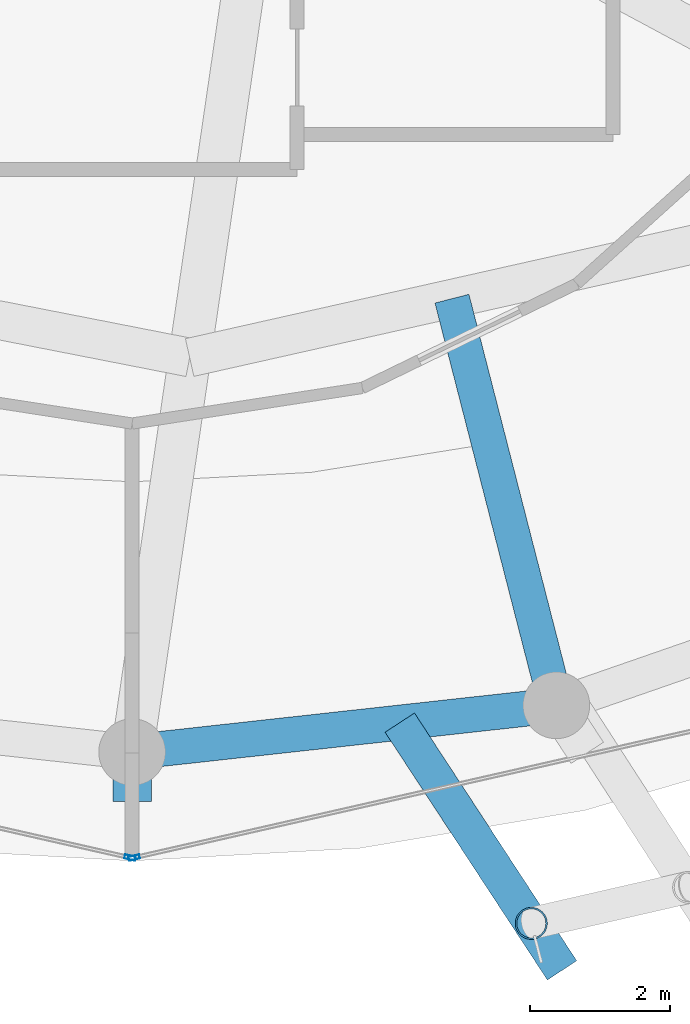
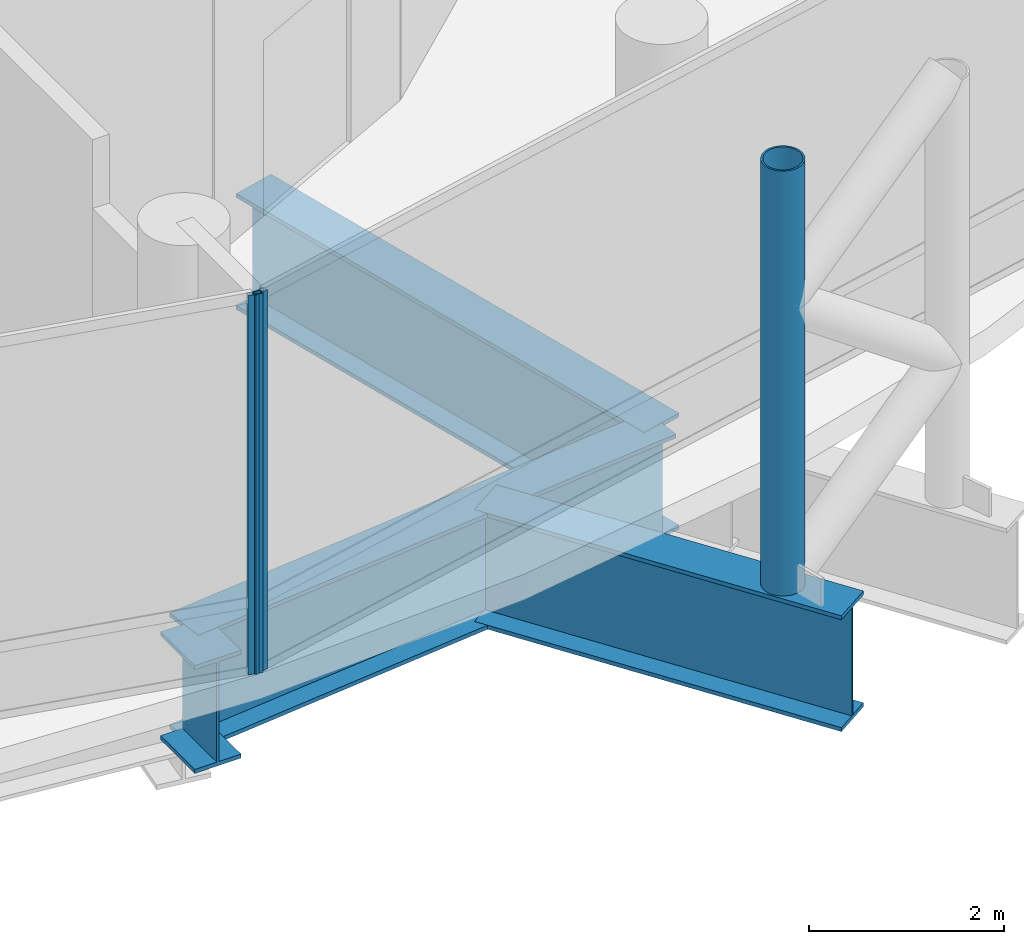
# One storey, part 4 of 29: 4 beams, 3 members, 2 elements without a shape of their own.
"""IFC4 building model written with IfcOpenShell, lengths in metres."""

import ifcopenshell
import ifcopenshell.guid

model = None  # the IFC model being written
_history = None  # IfcOwnerHistory: only IFC2X3 demands one
_inside = {}  # id of a spatial element -> (the spatial element, [elements in it])
_under = {}  # id of a project, library or spatial element -> (it, [spatial elements below it])
_declared = {}  # id of a project -> (the project, [libraries it declares])
_typed = {}  # id of a type object -> (the type object, [elements of that type])
_made_of = {}  # id of a material, layer set ... -> (it, [elements and type objects made of it])


def new_model(schema):
    """Start an empty IFC model of exactly this schema.

    Asked for "IFC4X3", IfcOpenShell would pick the latest addendum, in which some entities
    have other attributes; the version numbers below select the first issue.
    IFC2X3 requires an IfcOwnerHistory on every rooted entity: one is made here for all.
    """
    global model, _history
    if schema == "IFC4X3":
        model = ifcopenshell.file(schema_version=(4, 3, 0, 0))
    else:
        model = ifcopenshell.file(schema=schema)
    _inside.clear()
    _under.clear()
    _declared.clear()
    _typed.clear()
    _made_of.clear()
    _history = None
    if model.schema == "IFC2X3":
        org = make("IfcOrganization", Name="unknown")
        user = make(
            "IfcPersonAndOrganization",
            ThePerson=make("IfcPerson", FamilyName="unknown"),
            TheOrganization=org,
        )
        app = make(
            "IfcApplication",
            ApplicationDeveloper=org,
            Version="unknown",
            ApplicationFullName="unknown",
            ApplicationIdentifier="unknown",
        )
        _history = make(
            "IfcOwnerHistory",
            OwningUser=user,
            OwningApplication=app,
            ChangeAction="ADDED",
            CreationDate=0,
        )
    return model


def make(cls, **values):
    """One entity of the class cls with the attributes given. An attribute that is None is left unset."""
    return model.create_entity(
        cls, **{name: value for name, value in values.items() if value is not None}
    )


def rooted(cls, **values):
    """An entity with a GlobalId (a new one), such as an element, a storey or a relation."""
    return make(cls, GlobalId=ifcopenshell.guid.new(), OwnerHistory=_history, **values)


def si_unit(unit_type, name, prefix=None):
    """IfcSIUnit, for example si_unit("LENGTHUNIT", "METRE", prefix="MILLI")."""
    return make("IfcSIUnit", UnitType=unit_type, Prefix=prefix, Name=name)


def assignment(units):
    """IfcUnitAssignment: the units of a project."""
    return None if units is None else make("IfcUnitAssignment", Units=units)


def point(xyz):
    """IfcCartesianPoint."""
    return None if xyz is None else make("IfcCartesianPoint", Coordinates=xyz)


def direction(xyz):
    """IfcDirection."""
    return None if xyz is None else make("IfcDirection", DirectionRatios=xyz)


def frame(location, z_axis=None, x_axis=None):
    """IfcAxis2Placement3D, a coordinate frame: its origin and axes. An axis left out is left unset."""
    return make(
        "IfcAxis2Placement3D",
        Location=point(location),
        Axis=direction(z_axis),
        RefDirection=direction(x_axis),
    )


def frame_2d(location, x_axis=None):
    """IfcAxis2Placement2D, a coordinate frame in the plane: its origin and x axis."""
    return make(
        "IfcAxis2Placement2D", Location=point(location), RefDirection=direction(x_axis)
    )


def origin():
    """The frame at (0, 0, 0) with its axes left unset."""
    return frame((0.0, 0.0, 0.0))


def origin_2d():
    """The frame at (0, 0) in the plane with its x axis left unset."""
    return frame_2d((0.0, 0.0))


def place(relative_to, where):
    """IfcLocalPlacement: puts the frame where relative to a parent placement (None: the world)."""
    return make(
        "IfcLocalPlacement", PlacementRelTo=relative_to, RelativePlacement=where
    )


def context(
    kind, dimensions, precision=None, world=None, true_north=None, identifier=None
):
    """IfcGeometricRepresentationContext, for example the 3D "Model" context."""
    return make(
        "IfcGeometricRepresentationContext",
        ContextIdentifier=identifier,
        ContextType=kind,
        CoordinateSpaceDimension=dimensions,
        Precision=precision,
        WorldCoordinateSystem=world,
        TrueNorth=true_north,
    )


def subcontext(parent, identifier, kind, view, scale=None):
    """IfcGeometricRepresentationSubContext, for example "Body" below "Model"."""
    return make(
        "IfcGeometricRepresentationSubContext",
        ContextIdentifier=identifier,
        ContextType=kind,
        ParentContext=parent,
        TargetScale=scale,
        TargetView=view,
    )


def project(units=None, contexts=None):
    """IfcProject with its units and contexts."""
    return rooted(
        "IfcProject",
        Name="project",
        RepresentationContexts=contexts,
        UnitsInContext=assignment(units),
    )


def spatial(cls, under=None, at=None, **own):
    """A site, building, storey or space (cls), placed at a placement, below another one or the project."""
    s = rooted(cls, ObjectPlacement=at, **own)
    if under is not None:
        _under.setdefault(under.id(), (under, []))[1].append(s)
    return s


def profile(cls, at=None, kind="AREA", **sizes):
    """A parametric profile (cls). Its sizes go by their IFC names, for example OverallWidth=200.0."""
    return make(cls, ProfileType=kind, Position=at, **sizes)


def hollow_rectangle(**sizes):
    """IfcRectangleHollowProfileDef."""
    return profile("IfcRectangleHollowProfileDef", **sizes)


def hollow_circle(**sizes):
    """IfcCircleHollowProfileDef."""
    return profile("IfcCircleHollowProfileDef", **sizes)


def i_section(**sizes):
    """IfcIShapeProfileDef."""
    return profile("IfcIShapeProfileDef", **sizes)


def extrude(swept, where, along, depth):
    """IfcExtrudedAreaSolid: the profile swept, set in the frame where, extruded along a direction by depth."""
    return make(
        "IfcExtrudedAreaSolid",
        SweptArea=swept,
        Position=where,
        ExtrudedDirection=direction(along),
        Depth=depth,
    )


def shape(context_of_items, identifier, shape_type, items):
    """IfcShapeRepresentation: the items that make up one representation, for example the "Body"."""
    return make(
        "IfcShapeRepresentation",
        ContextOfItems=context_of_items,
        RepresentationIdentifier=identifier,
        RepresentationType=shape_type,
        Items=items,
    )


def material(Name=None, Category=None):
    """IfcMaterial."""
    return make("IfcMaterial", Name=Name, Category=Category)


def layer(
    of_material, thickness, ventilated=None, Name=None, Category=None, Priority=None
):
    """IfcMaterialLayer: one layer of a wall or slab, of a material (None: an air gap)."""
    return make(
        "IfcMaterialLayer",
        Material=of_material,
        LayerThickness=thickness,
        IsVentilated=ventilated,
        Name=Name,
        Category=Category,
        Priority=Priority,
    )


def layer_set(layers, Name=None):
    """IfcMaterialLayerSet."""
    return make("IfcMaterialLayerSet", MaterialLayers=layers, LayerSetName=Name)


def material_profile(
    of_material, cross_section, Name=None, Category=None, Priority=None
):
    """IfcMaterialProfile: a cross section and its material."""
    return make(
        "IfcMaterialProfile",
        Name=Name,
        Material=of_material,
        Profile=cross_section,
        Priority=Priority,
        Category=Category,
    )


def profile_set(profiles, Name=None, composite=None):
    """IfcMaterialProfileSet."""
    return make(
        "IfcMaterialProfileSet",
        Name=Name,
        MaterialProfiles=profiles,
        CompositeProfile=composite,
    )


def made_of(thing, what):
    """Note that an element or type object is made of a material, layer set ...; save() writes the relation."""
    if what is not None:
        _made_of.setdefault(what.id(), (what, []))[1].append(thing)
    return thing


def type_object(cls, material=None, **own):
    """A type object (cls), such as IfcWallType, which elements share."""
    return made_of(rooted(cls, **own), material)


def element(
    cls,
    number,
    at=None,
    inside=None,
    cuts=None,
    type_object=None,
    material=None,
    context=None,
    identifier="Body",
    shape_type=None,
    held_by="IfcProductDefinitionShape",
    body=None,
    shapes=None,
    **own,
):
    """One element of the class cls, such as IfcWall. Its Tag is "e" and its number.

    at: its placement. inside: the storey or other place that contains it. cuts: it is an
    opening in that element (IfcRelVoidsElement). A single representation is given by context,
    identifier, shape_type and body (its items); several are given by shapes. held_by: the class
    of the entity that holds the representations. save() writes the other relations.
    """
    e = rooted(cls, Tag="e%d" % number, ObjectPlacement=at, **own)
    if body is not None:
        shapes = [shape(context, identifier, shape_type, body)]
    if shapes is not None:
        e.Representation = make(held_by, Representations=shapes)
    if inside is not None:
        _inside.setdefault(inside.id(), (inside, []))[1].append(e)
    if cuts is not None:
        rooted(
            "IfcRelVoidsElement", RelatingBuildingElement=cuts, RelatedOpeningElement=e
        )
    if type_object is not None:
        _typed.setdefault(type_object.id(), (type_object, []))[1].append(e)
    return made_of(e, material)


def aggregate(whole, parts):
    """IfcRelAggregates: a whole, such as a stair, and the parts it consists of."""
    return rooted("IfcRelAggregates", RelatingObject=whole, RelatedObjects=parts)


def save(model, path):
    """Write the relations noted so far, then the file.

    IfcRelAggregates (storeys below a building ...), IfcRelContainedInSpatialStructure (elements
    in a storey), IfcRelDefinesByType, IfcRelAssociatesMaterial and IfcRelDeclares: one each for
    every whole, place, type object, material and project.
    """
    for whole, parts in _under.values():
        aggregate(whole, parts)
    for where, things in _inside.values():
        rooted(
            "IfcRelContainedInSpatialStructure",
            RelatedElements=things,
            RelatingStructure=where,
        )
    for kind, things in _typed.values():
        rooted("IfcRelDefinesByType", RelatedObjects=things, RelatingType=kind)
    for what, things in _made_of.values():
        rooted("IfcRelAssociatesMaterial", RelatedObjects=things, RelatingMaterial=what)
    for by, libraries in _declared.values():
        rooted("IfcRelDeclares", RelatingContext=by, RelatedDefinitions=libraries)
    model.write(path)


model = new_model("IFC4")

# Units and contexts
model_context = context("Model", 3, precision=1e-05, world=origin(), true_north=direction((0.0, 1.0)))
body_context = subcontext(model_context, "Body", "Model", "MODEL_VIEW")
ifc_project = project(units=[si_unit("LENGTHUNIT", "METRE"), si_unit("AREAUNIT", "SQUARE_METRE"), si_unit("VOLUMEUNIT", "CUBIC_METRE"), si_unit("PLANEANGLEUNIT", "RADIAN"), si_unit("MASSUNIT", "GRAM", prefix="KILO")], contexts=[model_context])

# Site, building, storey
site_placement = place(None, origin())
site = spatial("IfcSite", under=ifc_project, at=site_placement, CompositionType="ELEMENT")
building_placement = place(site_placement, origin())
building = spatial("IfcBuilding", under=site, at=building_placement, Name="Nuhasar Tower", CompositionType="ELEMENT")
storey_placement = place(building_placement, frame((0.0, 0.0, 113.25)))
storey = spatial("IfcBuildingStorey", under=building, at=storey_placement, Name="L26", CompositionType="ELEMENT", Elevation=113.25)

# Beams
ifc_material_1 = material(Name="Steel S460", Category="steel")
ifc_material_profile_1 = material_profile(ifc_material_1, i_section(OverallWidth=0.550048828125, OverallDepth=1.35009765625, WebThickness=0.028076171875, FlangeThickness=0.050048828125, at=origin_2d()), Name="PG1350X550")
ifc_profile_set_1 = profile_set([ifc_material_profile_1], Name="Steel S460")
beam_type_1 = type_object("IfcBeamType", Name="BM-XFER-PG1350", PredefinedType="USERDEFINED", material=ifc_profile_set_1)
beam_1_placement = place(storey_placement, frame((39.0, 7.25, -0.9951171875), z_axis=(0.0, -1.0, 0.0), x_axis=(1.0, 0.0, 0.0)))
element("IfcBeam", 1, at=beam_1_placement, inside=storey, type_object=beam_type_1, Name="L26 Radial Step Transfer Girder 02", ObjectType="GIRDER", PredefinedType="USERDEFINED", context=body_context, shape_type="SweptSolid", body=[
    extrude(i_section(OverallWidth=0.550048828125, OverallDepth=1.35009765625, WebThickness=0.028076171875, FlangeThickness=0.050048828125, at=origin_2d()), origin(), (0.0, 0.0, 1.0), 0.699951171875),
])
ifc_material_profile_2 = material_profile(ifc_material_1, i_section(OverallWidth=0.5, OverallDepth=1.449951171875, WebThickness=0.028076171875, FlangeThickness=0.050048828125, at=origin_2d()), Name="PG1450X500")
ifc_profile_set_2 = profile_set([ifc_material_profile_2], Name="Steel S460")
beam_type_2 = type_object("IfcBeamType", Name="BM-XFER-PG1450", PredefinedType="USERDEFINED", material=ifc_profile_set_2)
beam_2_placement = place(storey_placement, frame((39.0, 7.25, -1.044921875), z_axis=(0.993981289157, 0.109549974015, 0.0), x_axis=(-0.109549974015, 0.993981289157, 0.0)))
element("IfcBeam", 2, at=beam_2_placement, inside=storey, type_object=beam_type_2, Name="L26 Perimeter Ring Spandrel 19", ObjectType="GIRDER", PredefinedType="USERDEFINED", context=body_context, shape_type="SweptSolid", body=[
    extrude(i_section(OverallWidth=0.5, OverallDepth=1.449951171875, WebThickness=0.028076171875, FlangeThickness=0.050048828125, at=origin_2d()), origin(), (0.0, 0.0, 1.0), 6.07958984375),
])
beam_3_placement = place(storey_placement, frame((43.555908203125, 13.708984375, -1.044921875), z_axis=(0.248639530467, -0.968596089136, 0.0), x_axis=(0.968596089136, 0.248639530467, 0.0)))
element("IfcBeam", 3, at=beam_3_placement, inside=storey, type_object=beam_type_2, Name="L26 Inner Column Transfer Girder 20", ObjectType="GIRDER", PredefinedType="USERDEFINED", context=body_context, shape_type="SweptSolid", body=[
    extrude(i_section(OverallWidth=0.5, OverallDepth=1.449951171875, WebThickness=0.028076171875, FlangeThickness=0.050048828125, at=origin_2d()), origin(), (0.0, 0.0, 1.0), 5.980712890625),
])
beam_4_placement = place(storey_placement, frame((42.81298828125, 7.669921875, -1.044921875), z_axis=(0.547869852879, -0.836563580552, 0.0), x_axis=(0.836563580552, 0.547869852879, 0.0)))
element("IfcBeam", 4, at=beam_4_placement, inside=storey, type_object=beam_type_2, Name="L26 Exoskeleton Step Transfer Girder 19", ObjectType="GIRDER", PredefinedType="USERDEFINED", context=body_context, shape_type="SweptSolid", body=[
    extrude(i_section(OverallWidth=0.5, OverallDepth=1.449951171875, WebThickness=0.028076171875, FlangeThickness=0.050048828125, at=origin_2d()), origin(), (0.0, 0.0, 1.0), 4.21826171875),
])

# Curtain wall, member
ifc_material_2 = material(Name="Aluminium 6063-T6", Category="aluminium")
ifc_layer = layer(ifc_material_2, 0.239990234375)
ifc_layer_set = layer_set([ifc_layer], Name="Aluminium 6063-T6")
curtain_wall_type = type_object("IfcCurtainWallType", Name="CW-SKY-LBY", PredefinedType="NOTDEFINED", material=ifc_layer_set)
curtain_wall_1_placement = place(storey_placement, origin())
curtain_wall_1 = element("IfcCurtainWall", 5, at=curtain_wall_1_placement, inside=storey, type_object=curtain_wall_type, Name="L26 Unitised Curtain Wall 09", PredefinedType="NOTDEFINED")
ifc_material_profile_3 = material_profile(ifc_material_2, hollow_rectangle(XDim=0.06005859375, YDim=0.159912109375, WallThickness=0.0048828125, at=origin_2d()), Name="CWM-6")
ifc_profile_set_3 = profile_set([ifc_material_profile_3], Name="Aluminium 6063-T6")
member_type_1 = type_object("IfcMemberType", Name="CW-MUL-S6", PredefinedType="MULLION", material=ifc_profile_set_3)
member_1_placement = place(storey_placement, frame((38.970703125, 5.74658203125, 0.0), z_axis=(0.0, 0.0, 1.0), x_axis=(0.22139729566, 0.975183694221, 0.0)))
member_1 = element("IfcMember", 6, at=member_1_placement, type_object=member_type_1, Name="CW-SL mullion 2", PredefinedType="MULLION", context=body_context, shape_type="SweptSolid", body=[
    extrude(hollow_rectangle(XDim=0.06005859375, YDim=0.159912109375, WallThickness=0.0048828125, at=origin_2d()), origin(), (0.0, 0.0, 1.0), 4.75),
])
aggregate(curtain_wall_1, [member_1])

curtain_wall_2_placement = place(storey_placement, origin())
curtain_wall_2 = element("IfcCurtainWall", 7, at=curtain_wall_2_placement, inside=storey, type_object=curtain_wall_type, Name="L26 Unitised Curtain Wall 10", PredefinedType="NOTDEFINED")
member_2_placement = place(storey_placement, frame((39.029296875, 5.74658203125, 0.0), z_axis=(0.0, 0.0, 1.0), x_axis=(-0.22139729566, 0.975183694221, 0.0)))
member_2 = element("IfcMember", 8, at=member_2_placement, type_object=member_type_1, Name="CW-SL mullion 1", PredefinedType="MULLION", context=body_context, shape_type="SweptSolid", body=[
    extrude(hollow_rectangle(XDim=0.06005859375, YDim=0.159912109375, WallThickness=0.0048828125, at=origin_2d()), origin(), (0.0, 0.0, 1.0), 4.75),
])
aggregate(curtain_wall_2, [member_2])

# Member
ifc_material_profile_4 = material_profile(ifc_material_1, hollow_circle(Radius=0.228515625, WallThickness=0.022216796875, at=origin_2d()), Name="HSS457X22.2")
ifc_profile_set_4 = profile_set([ifc_material_profile_4], Name="Steel S460")
member_type_2 = type_object("IfcMemberType", Name="EXO-BRONZE-457", PredefinedType="BRACE", material=ifc_profile_set_4)
member_3_placement = place(storey_placement, frame((44.68603515625, 4.81005859375, -0.320068359375), z_axis=(0.0, 0.0, 1.0), x_axis=(1.0, 0.0, 0.0)))
element("IfcMember", 9, at=member_3_placement, inside=storey, type_object=member_type_2, Name="L26 Exoskeleton Chord Column EC-10A", PredefinedType="BRACE", context=body_context, shape_type="SweptSolid", body=[
    extrude(hollow_circle(Radius=0.228515625, WallThickness=0.022216796875, at=origin_2d()), origin(), (0.0, 0.0, 1.0), 5.320068359375),
])

save(model, "model.ifc")
